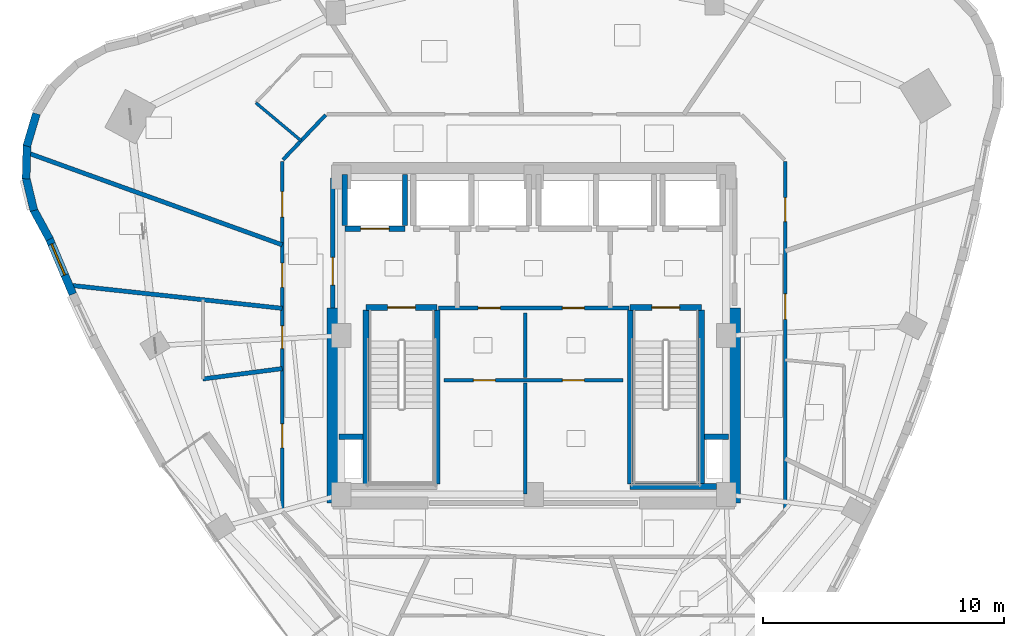
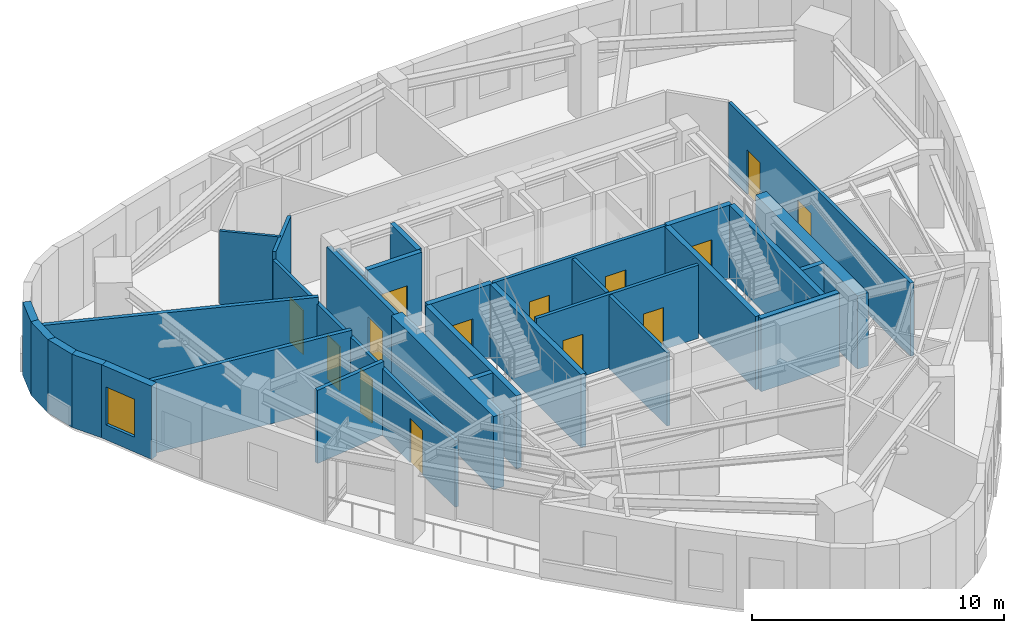
# One storey, part 7 of 13: 31 walls, 14 doors, 1 window, 15 openings.
"""IFC4 building model written with IfcOpenShell, lengths in metres."""

import ifcopenshell
import ifcopenshell.guid

model = None  # the IFC model being written
_history = None  # IfcOwnerHistory: only IFC2X3 demands one
_inside = {}  # id of a spatial element -> (the spatial element, [elements in it])
_under = {}  # id of a project, library or spatial element -> (it, [spatial elements below it])
_declared = {}  # id of a project -> (the project, [libraries it declares])
_typed = {}  # id of a type object -> (the type object, [elements of that type])
_made_of = {}  # id of a material, layer set ... -> (it, [elements and type objects made of it])


def new_model(schema):
    """Start an empty IFC model of exactly this schema.

    Asked for "IFC4X3", IfcOpenShell would pick the latest addendum, in which some entities
    have other attributes; the version numbers below select the first issue.
    IFC2X3 requires an IfcOwnerHistory on every rooted entity: one is made here for all.
    """
    global model, _history
    if schema == "IFC4X3":
        model = ifcopenshell.file(schema_version=(4, 3, 0, 0))
    else:
        model = ifcopenshell.file(schema=schema)
    _inside.clear()
    _under.clear()
    _declared.clear()
    _typed.clear()
    _made_of.clear()
    _history = None
    if model.schema == "IFC2X3":
        org = make("IfcOrganization", Name="unknown")
        user = make(
            "IfcPersonAndOrganization",
            ThePerson=make("IfcPerson", FamilyName="unknown"),
            TheOrganization=org,
        )
        app = make(
            "IfcApplication",
            ApplicationDeveloper=org,
            Version="unknown",
            ApplicationFullName="unknown",
            ApplicationIdentifier="unknown",
        )
        _history = make(
            "IfcOwnerHistory",
            OwningUser=user,
            OwningApplication=app,
            ChangeAction="ADDED",
            CreationDate=0,
        )
    return model


def make(cls, **values):
    """One entity of the class cls with the attributes given. An attribute that is None is left unset."""
    return model.create_entity(
        cls, **{name: value for name, value in values.items() if value is not None}
    )


def rooted(cls, **values):
    """An entity with a GlobalId (a new one), such as an element, a storey or a relation."""
    return make(cls, GlobalId=ifcopenshell.guid.new(), OwnerHistory=_history, **values)


def si_unit(unit_type, name, prefix=None):
    """IfcSIUnit, for example si_unit("LENGTHUNIT", "METRE", prefix="MILLI")."""
    return make("IfcSIUnit", UnitType=unit_type, Prefix=prefix, Name=name)


def assignment(units):
    """IfcUnitAssignment: the units of a project."""
    return None if units is None else make("IfcUnitAssignment", Units=units)


def point(xyz):
    """IfcCartesianPoint."""
    return None if xyz is None else make("IfcCartesianPoint", Coordinates=xyz)


def direction(xyz):
    """IfcDirection."""
    return None if xyz is None else make("IfcDirection", DirectionRatios=xyz)


def frame(location, z_axis=None, x_axis=None):
    """IfcAxis2Placement3D, a coordinate frame: its origin and axes. An axis left out is left unset."""
    return make(
        "IfcAxis2Placement3D",
        Location=point(location),
        Axis=direction(z_axis),
        RefDirection=direction(x_axis),
    )


def frame_2d(location, x_axis=None):
    """IfcAxis2Placement2D, a coordinate frame in the plane: its origin and x axis."""
    return make(
        "IfcAxis2Placement2D", Location=point(location), RefDirection=direction(x_axis)
    )


def origin():
    """The frame at (0, 0, 0) with its axes left unset."""
    return frame((0.0, 0.0, 0.0))


def place(relative_to, where):
    """IfcLocalPlacement: puts the frame where relative to a parent placement (None: the world)."""
    return make(
        "IfcLocalPlacement", PlacementRelTo=relative_to, RelativePlacement=where
    )


def context(
    kind, dimensions, precision=None, world=None, true_north=None, identifier=None
):
    """IfcGeometricRepresentationContext, for example the 3D "Model" context."""
    return make(
        "IfcGeometricRepresentationContext",
        ContextIdentifier=identifier,
        ContextType=kind,
        CoordinateSpaceDimension=dimensions,
        Precision=precision,
        WorldCoordinateSystem=world,
        TrueNorth=true_north,
    )


def subcontext(parent, identifier, kind, view, scale=None):
    """IfcGeometricRepresentationSubContext, for example "Body" below "Model"."""
    return make(
        "IfcGeometricRepresentationSubContext",
        ContextIdentifier=identifier,
        ContextType=kind,
        ParentContext=parent,
        TargetScale=scale,
        TargetView=view,
    )


def project(units=None, contexts=None):
    """IfcProject with its units and contexts."""
    return rooted(
        "IfcProject",
        Name="project",
        RepresentationContexts=contexts,
        UnitsInContext=assignment(units),
    )


def spatial(cls, under=None, at=None, **own):
    """A site, building, storey or space (cls), placed at a placement, below another one or the project."""
    s = rooted(cls, ObjectPlacement=at, **own)
    if under is not None:
        _under.setdefault(under.id(), (under, []))[1].append(s)
    return s


def profile(cls, at=None, kind="AREA", **sizes):
    """A parametric profile (cls). Its sizes go by their IFC names, for example OverallWidth=200.0."""
    return make(cls, ProfileType=kind, Position=at, **sizes)


def rectangle(**sizes):
    """IfcRectangleProfileDef."""
    return profile("IfcRectangleProfileDef", **sizes)


def extrude(swept, where, along, depth):
    """IfcExtrudedAreaSolid: the profile swept, set in the frame where, extruded along a direction by depth."""
    return make(
        "IfcExtrudedAreaSolid",
        SweptArea=swept,
        Position=where,
        ExtrudedDirection=direction(along),
        Depth=depth,
    )


def shape(context_of_items, identifier, shape_type, items):
    """IfcShapeRepresentation: the items that make up one representation, for example the "Body"."""
    return make(
        "IfcShapeRepresentation",
        ContextOfItems=context_of_items,
        RepresentationIdentifier=identifier,
        RepresentationType=shape_type,
        Items=items,
    )


def material(Name=None, Category=None):
    """IfcMaterial."""
    return make("IfcMaterial", Name=Name, Category=Category)


def layer(
    of_material, thickness, ventilated=None, Name=None, Category=None, Priority=None
):
    """IfcMaterialLayer: one layer of a wall or slab, of a material (None: an air gap)."""
    return make(
        "IfcMaterialLayer",
        Material=of_material,
        LayerThickness=thickness,
        IsVentilated=ventilated,
        Name=Name,
        Category=Category,
        Priority=Priority,
    )


def layer_set(layers, Name=None):
    """IfcMaterialLayerSet."""
    return make("IfcMaterialLayerSet", MaterialLayers=layers, LayerSetName=Name)


def made_of(thing, what):
    """Note that an element or type object is made of a material, layer set ...; save() writes the relation."""
    if what is not None:
        _made_of.setdefault(what.id(), (what, []))[1].append(thing)
    return thing


def type_object(cls, material=None, **own):
    """A type object (cls), such as IfcWallType, which elements share."""
    return made_of(rooted(cls, **own), material)


def element(
    cls,
    number,
    at=None,
    inside=None,
    cuts=None,
    type_object=None,
    material=None,
    context=None,
    identifier="Body",
    shape_type=None,
    held_by="IfcProductDefinitionShape",
    body=None,
    shapes=None,
    **own,
):
    """One element of the class cls, such as IfcWall. Its Tag is "e" and its number.

    at: its placement. inside: the storey or other place that contains it. cuts: it is an
    opening in that element (IfcRelVoidsElement). A single representation is given by context,
    identifier, shape_type and body (its items); several are given by shapes. held_by: the class
    of the entity that holds the representations. save() writes the other relations.
    """
    e = rooted(cls, Tag="e%d" % number, ObjectPlacement=at, **own)
    if body is not None:
        shapes = [shape(context, identifier, shape_type, body)]
    if shapes is not None:
        e.Representation = make(held_by, Representations=shapes)
    if inside is not None:
        _inside.setdefault(inside.id(), (inside, []))[1].append(e)
    if cuts is not None:
        rooted(
            "IfcRelVoidsElement", RelatingBuildingElement=cuts, RelatedOpeningElement=e
        )
    if type_object is not None:
        _typed.setdefault(type_object.id(), (type_object, []))[1].append(e)
    return made_of(e, material)


def fill(opening, filler):
    """IfcRelFillsElement: the door or window that sits in an opening."""
    return rooted(
        "IfcRelFillsElement",
        RelatingOpeningElement=opening,
        RelatedBuildingElement=filler,
    )


def aggregate(whole, parts):
    """IfcRelAggregates: a whole, such as a stair, and the parts it consists of."""
    return rooted("IfcRelAggregates", RelatingObject=whole, RelatedObjects=parts)


def save(model, path):
    """Write the relations noted so far, then the file.

    IfcRelAggregates (storeys below a building ...), IfcRelContainedInSpatialStructure (elements
    in a storey), IfcRelDefinesByType, IfcRelAssociatesMaterial and IfcRelDeclares: one each for
    every whole, place, type object, material and project.
    """
    for whole, parts in _under.values():
        aggregate(whole, parts)
    for where, things in _inside.values():
        rooted(
            "IfcRelContainedInSpatialStructure",
            RelatedElements=things,
            RelatingStructure=where,
        )
    for kind, things in _typed.values():
        rooted("IfcRelDefinesByType", RelatedObjects=things, RelatingType=kind)
    for what, things in _made_of.values():
        rooted("IfcRelAssociatesMaterial", RelatedObjects=things, RelatingMaterial=what)
    for by, libraries in _declared.values():
        rooted("IfcRelDeclares", RelatingContext=by, RelatedDefinitions=libraries)
    model.write(path)


model = new_model("IFC4")

# Units and contexts
model_context = context("Model", 3, precision=1e-05, world=origin(), true_north=direction((0.0, 1.0)))
body_context = subcontext(model_context, "Body", "Model", "MODEL_VIEW")
ifc_project = project(units=[si_unit("LENGTHUNIT", "METRE"), si_unit("AREAUNIT", "SQUARE_METRE"), si_unit("VOLUMEUNIT", "CUBIC_METRE"), si_unit("PLANEANGLEUNIT", "RADIAN"), si_unit("MASSUNIT", "GRAM", prefix="KILO")], contexts=[model_context])

# Site, building, storey
site_placement = place(None, origin())
site = spatial("IfcSite", under=ifc_project, at=site_placement, CompositionType="ELEMENT")
building_placement = place(site_placement, origin())
building = spatial("IfcBuilding", under=site, at=building_placement, Name="Ndelora Gate Hotel", CompositionType="ELEMENT")
storey_placement = place(building_placement, frame((0.0, 0.0, 228.35009765625)))
storey = spatial("IfcBuildingStorey", under=building, at=storey_placement, Name="L57", CompositionType="ELEMENT", Elevation=228.35009765625)

# Walls
ifc_material_1 = material(Name="Acoustic Double-Stud Gypsum Assembly", Category="gypsum")
ifc_layer_1 = layer(ifc_material_1, 0.179931640625)
ifc_layer_set_1 = layer_set([ifc_layer_1], Name="Acoustic Double-Stud Gypsum Assembly")
wall_type_1 = type_object("IfcWallType", Name="WL-ACOUST-180", PredefinedType="PARTITIONING", material=ifc_layer_set_1)
wall_1_placement = place(storey_placement, frame((-10.449951171875, -1.3662109375, 0.0), z_axis=(0.0, 0.0, 1.0), x_axis=(-0.991563556278, -0.129621425164, 0.0)))
element("IfcWall", 1, at=wall_1_placement, inside=storey, type_object=wall_type_1, Name="L57 Interior Wall IW-3", PredefinedType="PARTITIONING", context=body_context, shape_type="SweptSolid", body=[
    extrude(rectangle(XDim=3.328125, YDim=0.179931640625, at=frame_2d((1.6640625, 0.0))), origin(), (0.0, 0.0, 1.0), 3.5498046875),
])
wall_2_placement = place(storey_placement, frame((-10.449951171875, 3.77490234375, 0.0), z_axis=(0.0, 0.0, 1.0), x_axis=(-0.9405132002, 0.339757148931, 0.0)))
element("IfcWall", 2, at=wall_2_placement, inside=storey, type_object=wall_type_1, Name="L57 Interior Wall IW-3", PredefinedType="PARTITIONING", context=body_context, shape_type="SweptSolid", body=[
    extrude(rectangle(XDim=11.28662109375, YDim=0.179931640625, at=frame_2d((5.643310546875, 0.0))), origin(), (0.0, 0.0, 1.0), 3.5498046875),
])
wall_3_placement = place(storey_placement, frame((-10.449951171875, 1.136474609375, 0.0), z_axis=(0.0, 0.0, 1.0), x_axis=(-0.994137295644, 0.108125100741, 0.0)))
element("IfcWall", 3, at=wall_3_placement, inside=storey, type_object=wall_type_1, Name="L57 Interior Wall IW-3", PredefinedType="PARTITIONING", context=body_context, shape_type="SweptSolid", body=[
    extrude(rectangle(XDim=8.912109375, YDim=0.179931640625, at=frame_2d((4.4560546875, 0.0))), origin(), (0.0, 0.0, 1.0), 3.5498046875),
])
ifc_material_2 = material(Name="Clay Brick Masonry", Category="masonry")
ifc_layer_2 = layer(ifc_material_2, 0.330078125)
ifc_layer_set_2 = layer_set([ifc_layer_2], Name="Clay Brick Masonry")
wall_type_2 = type_object("IfcWallType", Name="WL-BRICK-330", PredefinedType="SOLIDWALL", material=ifc_layer_set_2)
wall_4_placement = place(storey_placement, frame((-21.064697265625, 7.878173828125, 0.0), z_axis=(0.0, 0.0, 1.0), x_axis=(0.284100140437, 0.958794613149, 0.0)))
element("IfcWall", 4, at=wall_4_placement, inside=storey, type_object=wall_type_2, Name="L57 Tower Brick Pier-and-Spandrel Wall TWR-5", PredefinedType="SOLIDWALL", context=body_context, shape_type="SweptSolid", body=[
    extrude(rectangle(XDim=1.40771484375, YDim=0.330078125, at=frame_2d((0.703857421875, 0.0))), origin(), (0.0, 0.0, 1.0), 3.5498046875),
])
for number, where, z_axis, x_axis, name in (
    (5, (-21.09375, 6.520263671875, 0.0), (0.0, 0.0, 1.0), (0.02619264168, 0.999656913907, 0.0), "L57 Tower Brick Pier-and-Spandrel Wall TWR-6"),
    (6, (-20.770263671875, 5.200927734375, 0.0), (0.0, 0.0, 1.0), (-0.233464793771, 0.972365255482, 0.0), "L57 Tower Brick Pier-and-Spandrel Wall TWR-7"),
):
    element("IfcWall", number, at=place(storey_placement, frame(where, z_axis=z_axis, x_axis=x_axis)), inside=storey, type_object=wall_type_2, Name=name, PredefinedType="SOLIDWALL", context=body_context, shape_type="SweptSolid", body=[
        extrude(rectangle(XDim=1.407470703125, YDim=0.330078125, at=frame_2d((0.70361328125, 0.0))), origin(), (0.0, 0.0, 1.0), 3.5498046875),
    ])
wall_5_placement = place(storey_placement, frame((-20.116455078125, 4.01025390625, 0.0), z_axis=(0.0, 0.0, 1.0), x_axis=(-0.477137792558, 0.878828496871, 0.0)))
element("IfcWall", 7, at=wall_5_placement, inside=storey, type_object=wall_type_2, Name="L57 Tower Brick Pier-and-Spandrel Wall TWR-8", PredefinedType="SOLIDWALL", context=body_context, shape_type="SweptSolid", body=[
    extrude(rectangle(XDim=1.40771484375, YDim=0.330078125, at=frame_2d((0.703857421875, 0.0))), origin(), (0.0, 0.0, 1.0), 3.5498046875),
])

# Wall, opening, window
wall_6_placement = place(storey_placement, frame((-19.151611328125, 1.726806640625, 0.0), z_axis=(0.0, 0.0, 1.0), x_axis=(-0.390140710462, 0.920755247631, 0.0)))
wall_6 = element("IfcWall", 8, at=wall_6_placement, inside=storey, type_object=wall_type_2, Name="L57 Tower Brick Pier-and-Spandrel Wall TWR-9", PredefinedType="SOLIDWALL", context=body_context, shape_type="SweptSolid", body=[
    extrude(rectangle(XDim=2.52880859375, YDim=0.330078125, at=frame_2d((1.264404296875, 0.0))), origin(), (0.0, 0.0, 1.0), 3.5498046875),
])
opening_1_placement = place(wall_6_placement, frame((0.860107421875, 0.0, 0.719970703125)))
opening_1 = element("IfcOpeningElement", 9, at=opening_1_placement, cuts=wall_6, Name="Opening W02", PredefinedType="OPENING", context=body_context, shape_type="SweptSolid", body=[
    extrude(rectangle(XDim=1.39990234375, YDim=1.840087890625, at=frame_2d((0.699951171875, 0.919921875))), frame((0.0, 0.175048828125, 0.0), z_axis=(0.0, -1.0, 0.0), x_axis=(1.0, 0.0, 0.0)), (0.0, 0.0, 1.0), 0.35009765625),
])
ifc_material_3 = material(Name="Insulated Low-E Double Glazing in Bronze Aluminium Frame", Category="aluminium")
window_type = type_object("IfcWindowType", Name="WN-DEEP-1400", PartitioningType="SINGLE_PANEL", PredefinedType="WINDOW", material=ifc_material_3)
window_placement = place(opening_1_placement, origin())
window = element("IfcWindow", 10, at=window_placement, inside=storey, type_object=window_type, Name="L57 Deep-Set Brick-Pier Window W02", OverallHeight=1.840087890625, OverallWidth=1.39990234375, PartitioningType="SINGLE_PANEL", PredefinedType="WINDOW", context=body_context, shape_type="SweptSolid", body=[
    extrude(rectangle(XDim=1.39990234375, YDim=1.840087890625, at=frame_2d((0.699951171875, 0.919921875))), frame((0.0, 0.030029296875, 0.0), z_axis=(0.0, -1.0, 0.0), x_axis=(1.0, 0.0, 0.0)), (0.0, 0.0, 1.0), 0.06005859375),
])
fill(opening_1, window)

# Walls
ifc_material_4 = material(Name="Concrete C50/60", Category="concrete")
ifc_layer_3 = layer(ifc_material_4, 0.5)
ifc_layer_set_3 = layer_set([ifc_layer_3], Name="Concrete C50/60")
wall_type_3 = type_object("IfcWallType", Name="WL-CORE-500", PredefinedType="SHEAR", material=ifc_layer_set_3)
for number, where, z_axis, x_axis, name in (
    (11, (-8.35009765625, -6.949951171875, 0.0), (0.0, 0.0, 1.0), (0.0, 1.0, 0.0), "L57 Core Shear Wall W"),
    (12, (8.35009765625, -6.949951171875, 0.0), (0.0, 0.0, 1.0), (0.0, 1.0, 0.0), "L57 Core Shear Wall E"),
):
    element("IfcWall", number, at=place(storey_placement, frame(where, z_axis=z_axis, x_axis=x_axis)), inside=storey, type_object=wall_type_3, Name=name, PredefinedType="SHEAR", context=body_context, shape_type="SweptSolid", body=[
        extrude(rectangle(XDim=8.099853515625, YDim=0.5, at=frame_2d((4.0498046875, 0.0))), origin(), (0.0, 0.0, 1.0), 3.5498046875),
    ])

# Wall, opening, door
ifc_material_5 = material(Name="Concrete C40/50", Category="concrete")
ifc_layer_4 = layer(ifc_material_5, 0.199951171875)
ifc_layer_set_4 = layer_set([ifc_layer_4], Name="Concrete C40/50")
wall_type_4 = type_object("IfcWallType", Name="WL-FIRE-200", PredefinedType="PARTITIONING", material=ifc_layer_set_4)
wall_7_placement = place(storey_placement, frame((-8.35009765625, 1.14990234375, 0.0), z_axis=(0.0, 0.0, 1.0), x_axis=(0.0, 1.0, 0.0)))
wall_7 = element("IfcWall", 13, at=wall_7_placement, inside=storey, type_object=wall_type_4, Name="L57 Interior Wall IW-2", PredefinedType="PARTITIONING", context=body_context, shape_type="SweptSolid", body=[
    extrude(rectangle(XDim=5.400146484375, YDim=0.199951171875, at=frame_2d((2.7001953125, 0.0))), origin(), (0.0, 0.0, 1.0), 3.5498046875),
])
opening_2_placement = place(wall_7_placement, frame((0.949951171875, 0.0, 0.0)))
opening_2 = element("IfcOpeningElement", 14, at=opening_2_placement, cuts=wall_7, Name="Opening FD1", PredefinedType="OPENING", context=body_context, shape_type="SweptSolid", body=[
    extrude(rectangle(XDim=1.14990234375, YDim=2.14990234375, at=frame_2d((0.574951171875, 1.074951171875))), frame((0.0, 0.10986328125, 0.0), z_axis=(0.0, -1.0, 0.0), x_axis=(1.0, 0.0, 0.0)), (0.0, 0.0, 1.0), 0.219970703125),
])
ifc_material_6 = material(Name="Fire-Rated Timber-Veneer Steel Core", Category="steel")
door_type_1 = type_object("IfcDoorType", Name="DR-FD60", OperationType="SINGLE_SWING_LEFT", PredefinedType="DOOR", material=ifc_material_6)
door_1_placement = place(opening_2_placement, origin())
door_1 = element("IfcDoor", 15, at=door_1_placement, inside=storey, type_object=door_type_1, Name="L57 Firefighting Lobby West Corridor Door", OperationType="SINGLE_SWING_LEFT", OverallHeight=2.14990234375, OverallWidth=1.14990234375, PredefinedType="DOOR", context=body_context, shape_type="SweptSolid", body=[
    extrude(rectangle(XDim=1.14990234375, YDim=2.14990234375, at=frame_2d((0.574951171875, 1.074951171875))), frame((0.0, 0.02490234375, 0.0), z_axis=(0.0, -1.0, 0.0), x_axis=(1.0, 0.0, 0.0)), (0.0, 0.0, 1.0), 0.050048828125),
])
fill(opening_2, door_1)

# Wall, openings, doors
ifc_material_7 = material(Name="Fire-Rated Gypsum Stud Partition", Category="gypsum")
ifc_layer_5 = layer(ifc_material_7, 0.14990234375)
ifc_layer_set_5 = layer_set([ifc_layer_5], Name="Fire-Rated Gypsum Stud Partition")
wall_type_5 = type_object("IfcWallType", Name="WL-PART-150", PredefinedType="PARTITIONING", material=ifc_layer_set_5)
wall_8_placement = place(storey_placement, frame((3.949951171875, 1.14990234375, 0.0), z_axis=(0.0, 0.0, 1.0), x_axis=(-1.0, 0.0, 0.0)))
wall_8 = element("IfcWall", 16, at=wall_8_placement, inside=storey, type_object=wall_type_5, Name="L57 Interior Wall IW-5", PredefinedType="PARTITIONING", context=body_context, shape_type="SweptSolid", body=[
    extrude(rectangle(XDim=7.89990234375, YDim=0.14990234375, at=frame_2d((3.949951171875, 0.0))), origin(), (0.0, 0.0, 1.0), 3.5498046875),
])
opening_3_placement = place(wall_8_placement, frame((5.340087890625, 0.0, 0.0)))
opening_3 = element("IfcOpeningElement", 17, at=opening_3_placement, cuts=wall_8, Name="Opening D04", PredefinedType="OPENING", context=body_context, shape_type="SweptSolid", body=[
    extrude(rectangle(XDim=0.919921875, YDim=2.050048828125, at=frame_2d((0.4599609375, 1.02490234375))), frame((0.0, 0.0849609375, 0.0), z_axis=(0.0, -1.0, 0.0), x_axis=(1.0, 0.0, 0.0)), (0.0, 0.0, 1.0), 0.169921875),
])
opening_4_placement = place(wall_8_placement, frame((1.840087890625, 0.0, 0.0)))
opening_4 = element("IfcOpeningElement", 18, at=opening_4_placement, cuts=wall_8, Name="Opening D04", PredefinedType="OPENING", context=body_context, shape_type="SweptSolid", body=[
    extrude(rectangle(XDim=0.919921875, YDim=2.050048828125, at=frame_2d((0.4599609375, 1.02490234375))), frame((0.0, 0.0849609375, 0.0), z_axis=(0.0, -1.0, 0.0), x_axis=(1.0, 0.0, 0.0)), (0.0, 0.0, 1.0), 0.169921875),
])
ifc_material_8 = material(Name="Painted Steel Core Service Door", Category="steel")
door_type_2 = type_object("IfcDoorType", Name="DR-SER-920", OperationType="SINGLE_SWING_LEFT", PredefinedType="DOOR", material=ifc_material_8)
door_2_placement = place(opening_3_placement, origin())
door_2 = element("IfcDoor", 19, at=door_2_placement, inside=storey, type_object=door_type_2, Name="L57 Core Electrical Closet Door", OperationType="SINGLE_SWING_LEFT", OverallHeight=2.050048828125, OverallWidth=0.919921875, PredefinedType="DOOR", context=body_context, shape_type="SweptSolid", body=[
    extrude(rectangle(XDim=0.919921875, YDim=2.050048828125, at=frame_2d((0.4599609375, 1.02490234375))), frame((0.0, 0.02490234375, 0.0), z_axis=(0.0, -1.0, 0.0), x_axis=(1.0, 0.0, 0.0)), (0.0, 0.0, 1.0), 0.050048828125),
])
fill(opening_3, door_2)
door_3_placement = place(opening_4_placement, origin())
door_3 = element("IfcDoor", 20, at=door_3_placement, inside=storey, type_object=door_type_2, Name="L57 Comms Patching Store Door", OperationType="SINGLE_SWING_RIGHT", OverallHeight=2.050048828125, OverallWidth=0.919921875, PredefinedType="DOOR", context=body_context, shape_type="SweptSolid", body=[
    extrude(rectangle(XDim=0.919921875, YDim=2.050048828125, at=frame_2d((0.4599609375, 1.02490234375))), frame((0.0, 0.02490234375, 0.0), z_axis=(0.0, -1.0, 0.0), x_axis=(1.0, 0.0, 0.0)), (0.0, 0.0, 1.0), 0.050048828125),
])
fill(opening_4, door_3)

wall_9_placement = place(storey_placement, frame((-3.719970703125, -1.85009765625, 0.0), z_axis=(0.0, 0.0, 1.0), x_axis=(1.0, 0.0, 0.0)))
wall_9 = element("IfcWall", 21, at=wall_9_placement, inside=storey, type_object=wall_type_5, Name="L57 Interior Wall IW-5", PredefinedType="PARTITIONING", context=body_context, shape_type="SweptSolid", body=[
    extrude(rectangle(XDim=7.43994140625, YDim=0.14990234375, at=frame_2d((3.719970703125, 0.0))), origin(), (0.0, 0.0, 1.0), 3.5498046875),
])
opening_5_placement = place(wall_9_placement, frame((1.2099609375, 0.0, 0.0)))
opening_5 = element("IfcOpeningElement", 22, at=opening_5_placement, cuts=wall_9, Name="Opening D04", PredefinedType="OPENING", context=body_context, shape_type="SweptSolid", body=[
    extrude(rectangle(XDim=0.919921875, YDim=2.050048828125, at=frame_2d((0.4599609375, 1.02490234375))), frame((0.0, 0.0849609375, 0.0), z_axis=(0.0, -1.0, 0.0), x_axis=(1.0, 0.0, 0.0)), (0.0, 0.0, 1.0), 0.169921875),
])
opening_6_placement = place(wall_9_placement, frame((4.909912109375, 0.0, 0.0)))
opening_6 = element("IfcOpeningElement", 23, at=opening_6_placement, cuts=wall_9, Name="Opening D04", PredefinedType="OPENING", context=body_context, shape_type="SweptSolid", body=[
    extrude(rectangle(XDim=0.919921875, YDim=2.050048828125, at=frame_2d((0.4599609375, 1.02490234375))), frame((0.0, 0.0849609375, 0.0), z_axis=(0.0, -1.0, 0.0), x_axis=(1.0, 0.0, 0.0)), (0.0, 0.0, 1.0), 0.169921875),
])
door_4_placement = place(opening_5_placement, origin())
door_4 = element("IfcDoor", 24, at=door_4_placement, inside=storey, type_object=door_type_2, Name="L57 Core Service Internal Door", OperationType="SINGLE_SWING_LEFT", OverallHeight=2.050048828125, OverallWidth=0.919921875, PredefinedType="DOOR", context=body_context, shape_type="SweptSolid", body=[
    extrude(rectangle(XDim=0.919921875, YDim=2.050048828125, at=frame_2d((0.4599609375, 1.02490234375))), frame((0.0, 0.02490234375, 0.0), z_axis=(0.0, -1.0, 0.0), x_axis=(1.0, 0.0, 0.0)), (0.0, 0.0, 1.0), 0.050048828125),
])
fill(opening_5, door_4)
door_5_placement = place(opening_6_placement, origin())
door_5 = element("IfcDoor", 25, at=door_5_placement, inside=storey, type_object=door_type_2, Name="L57 Core Service Internal Door", OperationType="SINGLE_SWING_LEFT", OverallHeight=2.050048828125, OverallWidth=0.919921875, PredefinedType="DOOR", context=body_context, shape_type="SweptSolid", body=[
    extrude(rectangle(XDim=0.919921875, YDim=2.050048828125, at=frame_2d((0.4599609375, 1.02490234375))), frame((0.0, 0.02490234375, 0.0), z_axis=(0.0, -1.0, 0.0), x_axis=(1.0, 0.0, 0.0)), (0.0, 0.0, 1.0), 0.050048828125),
])
fill(opening_6, door_5)

# Walls
wall_10_placement = place(storey_placement, frame((-0.35009765625, -6.580078125, 0.0), z_axis=(0.0, 0.0, 1.0), x_axis=(0.0, 1.0, 0.0)))
element("IfcWall", 26, at=wall_10_placement, inside=storey, type_object=wall_type_5, Name="L57 Interior Wall IW-5", PredefinedType="PARTITIONING", context=body_context, shape_type="SweptSolid", body=[
    extrude(rectangle(XDim=4.610107421875, YDim=0.14990234375, at=frame_2d((2.30517578125, 0.0))), origin(), (0.0, 0.0, 1.0), 3.5498046875),
])
wall_11_placement = place(storey_placement, frame((-0.35009765625, -1.72998046875, 0.0), z_axis=(0.0, 0.0, 1.0), x_axis=(0.0, 1.0, 0.0)))
element("IfcWall", 27, at=wall_11_placement, inside=storey, type_object=wall_type_5, Name="L57 Interior Wall IW-5", PredefinedType="PARTITIONING", context=body_context, shape_type="SweptSolid", body=[
    extrude(rectangle(XDim=2.679931640625, YDim=0.14990234375, at=frame_2d((1.33984375, 0.0))), origin(), (0.0, 0.0, 1.0), 3.5498046875),
])

# Wall, openings, doors
wall_12_placement = place(storey_placement, frame((10.449951171875, 7.239990234375, 0.0), z_axis=(0.0, 0.0, 1.0), x_axis=(0.0, -1.0, 0.0)))
wall_12 = element("IfcWall", 28, at=wall_12_placement, inside=storey, type_object=wall_type_5, Name="L57 Interior Wall IW-5", PredefinedType="PARTITIONING", context=body_context, shape_type="SweptSolid", body=[
    extrude(rectangle(XDim=14.47998046875, YDim=0.14990234375, at=frame_2d((7.239990234375, 0.0))), origin(), (0.0, 0.0, 1.0), 3.5498046875),
])
opening_7_placement = place(wall_12_placement, frame((5.4990234375, 0.0, 0.0)))
opening_7 = element("IfcOpeningElement", 29, at=opening_7_placement, cuts=wall_12, Name="Opening D07", PredefinedType="OPENING", context=body_context, shape_type="SweptSolid", body=[
    extrude(rectangle(XDim=1.06005859375, YDim=2.14990234375, at=frame_2d((0.530029296875, 1.074951171875))), frame((0.0, 0.0849609375, 0.0), z_axis=(0.0, -1.0, 0.0), x_axis=(1.0, 0.0, 0.0)), (0.0, 0.0, 1.0), 0.169921875),
])
opening_8_placement = place(wall_12_placement, frame((1.49951171875, 0.0, 0.0)))
opening_8 = element("IfcOpeningElement", 30, at=opening_8_placement, cuts=wall_12, Name="Opening D01", PredefinedType="OPENING", context=body_context, shape_type="SweptSolid", body=[
    extrude(rectangle(XDim=1.0, YDim=2.14990234375, at=frame_2d((0.5, 1.074951171875))), frame((0.0, 0.0849609375, 0.0), z_axis=(0.0, -1.0, 0.0), x_axis=(1.0, 0.0, 0.0)), (0.0, 0.0, 1.0), 0.169921875),
])
ifc_material_9 = material(Name="Acoustic Hardwood Guest Entrance Door", Category="wood")
door_type_3 = type_object("IfcDoorType", Name="DR-COR-1000", OperationType="SINGLE_SWING_LEFT", PredefinedType="DOOR", material=ifc_material_9)
door_6_placement = place(opening_8_placement, origin())
door_6 = element("IfcDoor", 31, at=door_6_placement, inside=storey, type_object=door_type_3, Name="L57 Highland Reading Library Entrance Door", OperationType="SINGLE_SWING_RIGHT", OverallHeight=2.14990234375, OverallWidth=1.0, PredefinedType="DOOR", context=body_context, shape_type="SweptSolid", body=[
    extrude(rectangle(XDim=1.0, YDim=2.14990234375, at=frame_2d((0.5, 1.074951171875))), frame((0.0, 0.02490234375, 0.0), z_axis=(0.0, -1.0, 0.0), x_axis=(1.0, 0.0, 0.0)), (0.0, 0.0, 1.0), 0.050048828125),
])
fill(opening_8, door_6)
ifc_material_10 = material(Name="Diplomatic Suite Acoustic Entrance Door", Category="wood")
door_type_4 = type_object("IfcDoorType", Name="DR-SUITE-1060", OperationType="SINGLE_SWING_LEFT", PredefinedType="DOOR", material=ifc_material_10)
door_7_placement = place(opening_7_placement, origin())
door_7 = element("IfcDoor", 32, at=door_7_placement, inside=storey, type_object=door_type_4, Name="L57 Grand Highland Diplomatic Suite 6003 Entrance Door", OperationType="SINGLE_SWING_RIGHT", OverallHeight=2.14990234375, OverallWidth=1.06005859375, PredefinedType="DOOR", context=body_context, shape_type="SweptSolid", body=[
    extrude(rectangle(XDim=1.06005859375, YDim=2.14990234375, at=frame_2d((0.530029296875, 1.074951171875))), frame((0.0, 0.02490234375, 0.0), z_axis=(0.0, -1.0, 0.0), x_axis=(1.0, 0.0, 0.0)), (0.0, 0.0, 1.0), 0.050048828125),
])
fill(opening_7, door_7)

# Wall
wall_13_placement = place(storey_placement, frame((-10.42236328125, 7.30908203125, 0.0), z_axis=(0.0, 0.0, 1.0), x_axis=(0.689960858356, 0.723846678473, 0.0)))
element("IfcWall", 33, at=wall_13_placement, inside=storey, type_object=wall_type_5, Name="L57 Interior Wall IW-5", PredefinedType="PARTITIONING", context=body_context, shape_type="SweptSolid", body=[
    extrude(rectangle(XDim=2.572021484375, YDim=0.14990234375, at=frame_2d((1.2861328125, 0.0))), origin(), (0.0, 0.0, 1.0), 3.5498046875),
])

# Wall, openings, doors
wall_14_placement = place(storey_placement, frame((-10.449951171875, -7.239990234375, 0.0), z_axis=(0.0, 0.0, 1.0), x_axis=(0.0, 1.0, 0.0)))
wall_14 = element("IfcWall", 34, at=wall_14_placement, inside=storey, type_object=wall_type_5, Name="L57 Interior Wall IW-5", PredefinedType="PARTITIONING", context=body_context, shape_type="SweptSolid", body=[
    extrude(rectangle(XDim=14.47998046875, YDim=0.14990234375, at=frame_2d((7.239990234375, 0.0))), origin(), (0.0, 0.0, 1.0), 3.22998046875),
])
opening_9_placement = place(wall_14_placement, frame((6.699951171875, 0.0, 0.0)))
opening_9 = element("IfcOpeningElement", 35, at=opening_9_placement, cuts=wall_14, Name="Opening D05", PredefinedType="OPENING", context=body_context, shape_type="SweptSolid", body=[
    extrude(rectangle(XDim=0.949951171875, YDim=2.10009765625, at=frame_2d((0.47509765625, 1.050048828125))), frame((0.0, 0.0849609375, 0.0), z_axis=(0.0, -1.0, 0.0), x_axis=(1.0, 0.0, 0.0)), (0.0, 0.0, 1.0), 0.169921875),
])
opening_10_placement = place(wall_14_placement, frame((9.2509765625, 0.0, 0.0)))
opening_10 = element("IfcOpeningElement", 36, at=opening_10_placement, cuts=wall_14, Name="Opening D01", PredefinedType="OPENING", context=body_context, shape_type="SweptSolid", body=[
    extrude(rectangle(XDim=1.0, YDim=2.14990234375, at=frame_2d((0.5, 1.074951171875))), frame((0.0, 0.0849609375, 0.0), z_axis=(0.0, -1.0, 0.0), x_axis=(1.0, 0.0, 0.0)), (0.0, 0.0, 1.0), 0.169921875),
])
opening_11_placement = place(wall_14_placement, frame((2.576904296875, 0.0, 0.0)))
opening_11 = element("IfcOpeningElement", 37, at=opening_11_placement, cuts=wall_14, Name="Opening D01", PredefinedType="OPENING", context=body_context, shape_type="SweptSolid", body=[
    extrude(rectangle(XDim=1.0, YDim=2.14990234375, at=frame_2d((0.5, 1.074951171875))), frame((0.0, 0.0849609375, 0.0), z_axis=(0.0, -1.0, 0.0), x_axis=(1.0, 0.0, 0.0)), (0.0, 0.0, 1.0), 0.169921875),
])
opening_12_placement = place(wall_14_placement, frame((12.16748046875, 0.0, 0.0)))
opening_12 = element("IfcOpeningElement", 38, at=opening_12_placement, cuts=wall_14, Name="Opening D07", PredefinedType="OPENING", context=body_context, shape_type="SweptSolid", body=[
    extrude(rectangle(XDim=1.06005859375, YDim=2.14990234375, at=frame_2d((0.530029296875, 1.074951171875))), frame((0.0, 0.0849609375, 0.0), z_axis=(0.0, -1.0, 0.0), x_axis=(1.0, 0.0, 0.0)), (0.0, 0.0, 1.0), 0.169921875),
])
ifc_material_11 = material(Name="Accessible Restroom Wide-Clearance Door", Category="wood")
door_type_5 = type_object("IfcDoorType", Name="DR-ACC-950", OperationType="SINGLE_SWING_LEFT", PredefinedType="DOOR", material=ifc_material_11)
door_8_placement = place(opening_9_placement, origin())
door_8 = element("IfcDoor", 39, at=door_8_placement, inside=storey, type_object=door_type_5, Name="L57 Accessible WC Entrance Door", OperationType="SINGLE_SWING_RIGHT", OverallHeight=2.10009765625, OverallWidth=0.949951171875, PredefinedType="DOOR", context=body_context, shape_type="SweptSolid", body=[
    extrude(rectangle(XDim=0.949951171875, YDim=2.10009765625, at=frame_2d((0.47509765625, 1.050048828125))), frame((0.0, 0.02490234375, 0.0), z_axis=(0.0, -1.0, 0.0), x_axis=(1.0, 0.0, 0.0)), (0.0, 0.0, 1.0), 0.050048828125),
])
fill(opening_9, door_8)
door_9_placement = place(opening_10_placement, origin())
door_9 = element("IfcDoor", 40, at=door_9_placement, inside=storey, type_object=door_type_3, Name="L57 Housekeeping and Linen Room Entrance Door", OperationType="SINGLE_SWING_LEFT", OverallHeight=2.14990234375, OverallWidth=1.0, PredefinedType="DOOR", context=body_context, shape_type="SweptSolid", body=[
    extrude(rectangle(XDim=1.0, YDim=2.14990234375, at=frame_2d((0.5, 1.074951171875))), frame((0.0, 0.02490234375, 0.0), z_axis=(0.0, -1.0, 0.0), x_axis=(1.0, 0.0, 0.0)), (0.0, 0.0, 1.0), 0.050048828125),
])
fill(opening_10, door_9)
door_10_placement = place(opening_11_placement, origin())
door_10 = element("IfcDoor", 41, at=door_10_placement, inside=storey, type_object=door_type_3, Name="L57 Sky Garden Tea Dining Room Entrance Door", OperationType="SINGLE_SWING_LEFT", OverallHeight=2.14990234375, OverallWidth=1.0, PredefinedType="DOOR", context=body_context, shape_type="SweptSolid", body=[
    extrude(rectangle(XDim=1.0, YDim=2.14990234375, at=frame_2d((0.5, 1.074951171875))), frame((0.0, 0.02490234375, 0.0), z_axis=(0.0, -1.0, 0.0), x_axis=(1.0, 0.0, 0.0)), (0.0, 0.0, 1.0), 0.050048828125),
])
fill(opening_11, door_10)
door_11_placement = place(opening_12_placement, origin())
door_11 = element("IfcDoor", 42, at=door_11_placement, inside=storey, type_object=door_type_4, Name="L57 Altitude King Junior Suite 6004 Entrance Door", OperationType="SINGLE_SWING_LEFT", OverallHeight=2.14990234375, OverallWidth=1.06005859375, PredefinedType="DOOR", context=body_context, shape_type="SweptSolid", body=[
    extrude(rectangle(XDim=1.06005859375, YDim=2.14990234375, at=frame_2d((0.530029296875, 1.074951171875))), frame((0.0, 0.02490234375, 0.0), z_axis=(0.0, -1.0, 0.0), x_axis=(1.0, 0.0, 0.0)), (0.0, 0.0, 1.0), 0.050048828125),
])
fill(opening_12, door_11)

# Walls
ifc_layer_6 = layer(ifc_material_5, 0.219970703125)
ifc_layer_set_6 = layer_set([ifc_layer_6], Name="Concrete C40/50")
wall_type_6 = type_object("IfcWallType", Name="WL-SHAFT-220", PredefinedType="PARTITIONING", material=ifc_layer_set_6)
for number, where, z_axis, x_axis, name in (
    (43, (-8.10009765625, -4.199951171875, 0.0), (0.0, 0.0, 1.0), (1.0, 0.0, 0.0), "L57 Interior Wall IW-1"),
    (44, (7.090087890625, -4.199951171875, 0.0), (0.0, 0.0, 1.0), (1.0, 0.0, 0.0), "L57 Interior Wall IW-1"),
):
    element("IfcWall", number, at=place(storey_placement, frame(where, z_axis=z_axis, x_axis=x_axis)), inside=storey, type_object=wall_type_6, Name=name, PredefinedType="PARTITIONING", context=body_context, shape_type="SweptSolid", body=[
        extrude(rectangle(XDim=1.010009765625, YDim=0.219970703125, at=frame_2d((0.5048828125, 0.0))), origin(), (0.0, 0.0, 1.0), 3.5498046875),
    ])

# Wall, opening, door
wall_15_placement = place(storey_placement, frame((-7.85009765625, 4.449951171875, 0.0), z_axis=(0.0, 0.0, 1.0), x_axis=(1.0, 0.0, 0.0)))
wall_15 = element("IfcWall", 45, at=wall_15_placement, inside=storey, type_object=wall_type_6, Name="L57 Interior Wall IW-1", PredefinedType="PARTITIONING", context=body_context, shape_type="SweptSolid", body=[
    extrude(rectangle(XDim=2.5, YDim=0.219970703125, at=frame_2d((1.25, 0.0))), origin(), (0.0, 0.0, 1.0), 3.5498046875),
])
opening_13_placement = place(wall_15_placement, frame((0.659912109375, 0.0, 0.0)))
opening_13 = element("IfcOpeningElement", 46, at=opening_13_placement, cuts=wall_15, Name="Opening LD5", PredefinedType="OPENING", context=body_context, shape_type="SweptSolid", body=[
    extrude(rectangle(XDim=1.179931640625, YDim=2.14990234375, at=frame_2d((0.58984375, 1.074951171875))), frame((0.0, 0.1201171875, 0.0), z_axis=(0.0, -1.0, 0.0), x_axis=(1.0, 0.0, 0.0)), (0.0, 0.0, 1.0), 0.239990234375),
])
ifc_material_12 = material(Name="Firefighting Lift Stainless Sliding Landing Door", Category="metal")
door_type_6 = type_object("IfcDoorType", Name="DR-LD5", OperationType="DOUBLE_DOOR_SLIDING", PredefinedType="DOOR", material=ifc_material_12)
door_12_placement = place(opening_13_placement, origin())
door_12 = element("IfcDoor", 47, at=door_12_placement, inside=storey, type_object=door_type_6, Name="L57 Lift Landing Sliding Door FFL1", OperationType="DOUBLE_DOOR_SLIDING", OverallHeight=2.14990234375, OverallWidth=1.179931640625, PredefinedType="DOOR", context=body_context, shape_type="SweptSolid", body=[
    extrude(rectangle(XDim=1.179931640625, YDim=2.14990234375, at=frame_2d((0.58984375, 1.074951171875))), frame((0.0, 0.02490234375, 0.0), z_axis=(0.0, -1.0, 0.0), x_axis=(1.0, 0.0, 0.0)), (0.0, 0.0, 1.0), 0.050048828125),
])
fill(opening_13, door_12)

# Walls
wall_16_placement = place(storey_placement, frame((-7.85009765625, 4.570068359375, 0.0), z_axis=(0.0, 0.0, 1.0), x_axis=(0.0, 1.0, 0.0)))
element("IfcWall", 48, at=wall_16_placement, inside=storey, type_object=wall_type_6, Name="L57 Interior Wall IW-1", PredefinedType="PARTITIONING", context=body_context, shape_type="SweptSolid", body=[
    extrude(rectangle(XDim=2.1298828125, YDim=0.219970703125, at=frame_2d((1.06494140625, 0.0))), origin(), (0.0, 0.0, 1.0), 3.179931640625),
])
wall_17_placement = place(storey_placement, frame((-5.35009765625, 4.570068359375, 0.0), z_axis=(0.0, 0.0, 1.0), x_axis=(0.0, 1.0, 0.0)))
element("IfcWall", 49, at=wall_17_placement, inside=storey, type_object=wall_type_6, Name="L57 Interior Wall IW-1", PredefinedType="PARTITIONING", context=body_context, shape_type="SweptSolid", body=[
    extrude(rectangle(XDim=2.1298828125, YDim=0.219970703125, at=frame_2d((1.06494140625, 0.0))), origin(), (0.0, 0.0, 1.0), 3.5498046875),
])
ifc_layer_7 = layer(ifc_material_4, 0.239990234375)
ifc_layer_set_7 = layer_set([ifc_layer_7], Name="Concrete C50/60")
wall_type_7 = type_object("IfcWallType", Name="WL-STAIR-240", PredefinedType="SHEAR", material=ifc_layer_set_7)
for number, where, z_axis, x_axis, name in (
    (50, (-6.969970703125, -6.159912109375, 0.0), (0.0, 0.0, 1.0), (0.0, 1.0, 0.0), "L57 Stair Core Shear Wall SW-ST"),
    (51, (-4.010009765625, -6.159912109375, 0.0), (0.0, 0.0, 1.0), (0.0, 1.0, 0.0), "L57 Stair Core Shear Wall SW-ST"),
):
    element("IfcWall", number, at=place(storey_placement, frame(where, z_axis=z_axis, x_axis=x_axis)), inside=storey, type_object=wall_type_7, Name=name, PredefinedType="SHEAR", context=body_context, shape_type="SweptSolid", body=[
        extrude(rectangle(XDim=7.219970703125, YDim=0.239990234375, at=frame_2d((3.60986328125, 0.0))), origin(), (0.0, 0.0, 1.0), 3.5498046875),
    ])

# Wall, opening, door
wall_18_placement = place(storey_placement, frame((-6.969970703125, 1.169921875, 0.0), z_axis=(0.0, 0.0, 1.0), x_axis=(1.0, 0.0, 0.0)))
wall_18 = element("IfcWall", 52, at=wall_18_placement, inside=storey, type_object=wall_type_7, Name="L57 Stair Core Shear Wall SW-ST", PredefinedType="SHEAR", context=body_context, shape_type="SweptSolid", body=[
    extrude(rectangle(XDim=2.9599609375, YDim=0.239990234375, at=frame_2d((1.47998046875, 0.0))), origin(), (0.0, 0.0, 1.0), 3.5498046875),
])
opening_14_placement = place(wall_18_placement, frame((0.89990234375, 0.0, 0.0)))
opening_14 = element("IfcOpeningElement", 53, at=opening_14_placement, cuts=wall_18, Name="Opening FD1", PredefinedType="OPENING", context=body_context, shape_type="SweptSolid", body=[
    extrude(rectangle(XDim=1.14990234375, YDim=2.14990234375, at=frame_2d((0.574951171875, 1.074951171875))), frame((0.0, 0.1298828125, 0.0), z_axis=(0.0, -1.0, 0.0), x_axis=(1.0, 0.0, 0.0)), (0.0, 0.0, 1.0), 0.260009765625),
])
door_13_placement = place(opening_14_placement, origin())
door_13 = element("IfcDoor", 54, at=door_13_placement, inside=storey, type_object=door_type_1, Name="L57 Exit Stair ST4 Door", OperationType="SINGLE_SWING_LEFT", OverallHeight=2.14990234375, OverallWidth=1.14990234375, PredefinedType="DOOR", context=body_context, shape_type="SweptSolid", body=[
    extrude(rectangle(XDim=1.14990234375, YDim=2.14990234375, at=frame_2d((0.574951171875, 1.074951171875))), frame((0.0, 0.02490234375, 0.0), z_axis=(0.0, -1.0, 0.0), x_axis=(1.0, 0.0, 0.0)), (0.0, 0.0, 1.0), 0.050048828125),
])
fill(opening_14, door_13)

# Walls
for number, where, z_axis, x_axis, name in (
    (55, (4.010009765625, -6.159912109375, 0.0), (0.0, 0.0, 1.0), (0.0, 1.0, 0.0), "L57 Stair Core Shear Wall SW-ST"),
    (56, (6.969970703125, -6.159912109375, 0.0), (0.0, 0.0, 1.0), (0.0, 1.0, 0.0), "L57 Stair Core Shear Wall SW-ST"),
):
    element("IfcWall", number, at=place(storey_placement, frame(where, z_axis=z_axis, x_axis=x_axis)), inside=storey, type_object=wall_type_7, Name=name, PredefinedType="SHEAR", context=body_context, shape_type="SweptSolid", body=[
        extrude(rectangle(XDim=7.219970703125, YDim=0.239990234375, at=frame_2d((3.60986328125, 0.0))), origin(), (0.0, 0.0, 1.0), 3.5498046875),
    ])
wall_19_placement = place(storey_placement, frame((4.010009765625, -6.27001953125, 0.0), z_axis=(0.0, 0.0, 1.0), x_axis=(1.0, 0.0, 0.0)))
element("IfcWall", 57, at=wall_19_placement, inside=storey, type_object=wall_type_7, Name="L57 Stair Core Shear Wall SW-ST", PredefinedType="SHEAR", context=body_context, shape_type="SweptSolid", body=[
    extrude(rectangle(XDim=3.590087890625, YDim=0.239990234375, at=frame_2d((1.794921875, 0.0))), origin(), (0.0, 0.0, 1.0), 3.5498046875),
])

# Wall, opening, door
wall_20_placement = place(storey_placement, frame((4.010009765625, 1.169921875, 0.0), z_axis=(0.0, 0.0, 1.0), x_axis=(1.0, 0.0, 0.0)))
wall_20 = element("IfcWall", 58, at=wall_20_placement, inside=storey, type_object=wall_type_7, Name="L57 Stair Core Shear Wall SW-ST", PredefinedType="SHEAR", context=body_context, shape_type="SweptSolid", body=[
    extrude(rectangle(XDim=2.9599609375, YDim=0.239990234375, at=frame_2d((1.47998046875, 0.0))), origin(), (0.0, 0.0, 1.0), 3.5498046875),
])
opening_15_placement = place(wall_20_placement, frame((0.89990234375, 0.0, 0.0)))
opening_15 = element("IfcOpeningElement", 59, at=opening_15_placement, cuts=wall_20, Name="Opening FD1", PredefinedType="OPENING", context=body_context, shape_type="SweptSolid", body=[
    extrude(rectangle(XDim=1.14990234375, YDim=2.14990234375, at=frame_2d((0.574951171875, 1.074951171875))), frame((0.0, 0.1298828125, 0.0), z_axis=(0.0, -1.0, 0.0), x_axis=(1.0, 0.0, 0.0)), (0.0, 0.0, 1.0), 0.260009765625),
])
door_14_placement = place(opening_15_placement, origin())
door_14 = element("IfcDoor", 60, at=door_14_placement, inside=storey, type_object=door_type_1, Name="L57 Exit Stair ST5 Door", OperationType="SINGLE_SWING_RIGHT", OverallHeight=2.14990234375, OverallWidth=1.14990234375, PredefinedType="DOOR", context=body_context, shape_type="SweptSolid", body=[
    extrude(rectangle(XDim=1.14990234375, YDim=2.14990234375, at=frame_2d((0.574951171875, 1.074951171875))), frame((0.0, 0.02490234375, 0.0), z_axis=(0.0, -1.0, 0.0), x_axis=(1.0, 0.0, 0.0)), (0.0, 0.0, 1.0), 0.050048828125),
])
fill(opening_15, door_14)

# Wall
ifc_material_13 = material(Name="Moisture-Resistant Bathroom Tile Partition", Category="gypsum")
ifc_layer_8 = layer(ifc_material_13, 0.1201171875)
ifc_layer_set_8 = layer_set([ifc_layer_8], Name="Moisture-Resistant Bathroom Tile Partition")
wall_type_8 = type_object("IfcWallType", Name="WL-WET-120", PredefinedType="PARTITIONING", material=ifc_layer_set_8)
wall_21_placement = place(storey_placement, frame((-9.666015625, 8.102783203125, 0.0), z_axis=(0.0, 0.0, 1.0), x_axis=(-0.766392114791, 0.64237304301, 0.0)))
element("IfcWall", 61, at=wall_21_placement, inside=storey, type_object=wall_type_8, Name="L57 Interior Wall IW-7", PredefinedType="PARTITIONING", context=body_context, shape_type="SweptSolid", body=[
    extrude(rectangle(XDim=2.454833984375, YDim=0.1201171875, at=frame_2d((1.2275390625, 0.0))), origin(), (0.0, 0.0, 1.0), 3.5498046875),
])

save(model, "model.ifc")
